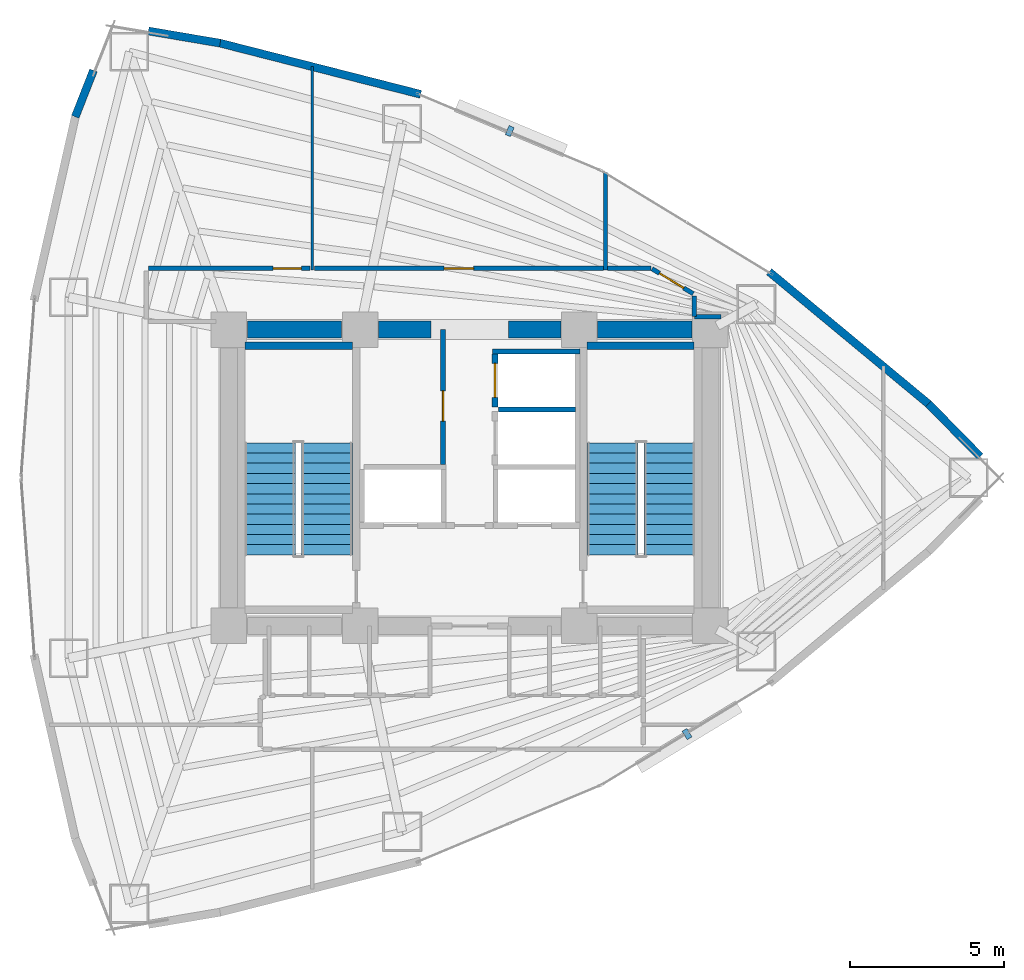
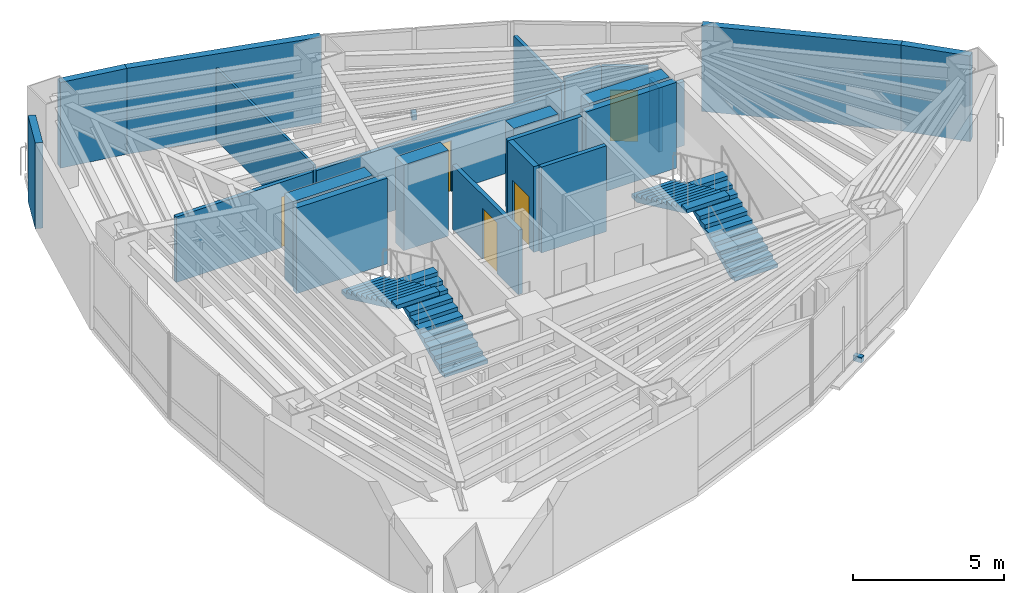
# One storey, part 16 of 18: 23 walls, 5 doors, 4 stair flights, 2 discrete accessories, 5 openings, 2 elements without a shape of their own.
"""IFC4 building model written with IfcOpenShell, lengths in metres."""

import ifcopenshell
import ifcopenshell.guid

model = None  # the IFC model being written
_history = None  # IfcOwnerHistory: only IFC2X3 demands one
_inside = {}  # id of a spatial element -> (the spatial element, [elements in it])
_under = {}  # id of a project, library or spatial element -> (it, [spatial elements below it])
_declared = {}  # id of a project -> (the project, [libraries it declares])
_typed = {}  # id of a type object -> (the type object, [elements of that type])
_made_of = {}  # id of a material, layer set ... -> (it, [elements and type objects made of it])


def new_model(schema):
    """Start an empty IFC model of exactly this schema.

    Asked for "IFC4X3", IfcOpenShell would pick the latest addendum, in which some entities
    have other attributes; the version numbers below select the first issue.
    IFC2X3 requires an IfcOwnerHistory on every rooted entity: one is made here for all.
    """
    global model, _history
    if schema == "IFC4X3":
        model = ifcopenshell.file(schema_version=(4, 3, 0, 0))
    else:
        model = ifcopenshell.file(schema=schema)
    _inside.clear()
    _under.clear()
    _declared.clear()
    _typed.clear()
    _made_of.clear()
    _history = None
    if model.schema == "IFC2X3":
        org = make("IfcOrganization", Name="unknown")
        user = make(
            "IfcPersonAndOrganization",
            ThePerson=make("IfcPerson", FamilyName="unknown"),
            TheOrganization=org,
        )
        app = make(
            "IfcApplication",
            ApplicationDeveloper=org,
            Version="unknown",
            ApplicationFullName="unknown",
            ApplicationIdentifier="unknown",
        )
        _history = make(
            "IfcOwnerHistory",
            OwningUser=user,
            OwningApplication=app,
            ChangeAction="ADDED",
            CreationDate=0,
        )
    return model


def make(cls, **values):
    """One entity of the class cls with the attributes given. An attribute that is None is left unset."""
    return model.create_entity(
        cls, **{name: value for name, value in values.items() if value is not None}
    )


def rooted(cls, **values):
    """An entity with a GlobalId (a new one), such as an element, a storey or a relation."""
    return make(cls, GlobalId=ifcopenshell.guid.new(), OwnerHistory=_history, **values)


def si_unit(unit_type, name, prefix=None):
    """IfcSIUnit, for example si_unit("LENGTHUNIT", "METRE", prefix="MILLI")."""
    return make("IfcSIUnit", UnitType=unit_type, Prefix=prefix, Name=name)


def assignment(units):
    """IfcUnitAssignment: the units of a project."""
    return None if units is None else make("IfcUnitAssignment", Units=units)


def point(xyz):
    """IfcCartesianPoint."""
    return None if xyz is None else make("IfcCartesianPoint", Coordinates=xyz)


def direction(xyz):
    """IfcDirection."""
    return None if xyz is None else make("IfcDirection", DirectionRatios=xyz)


def frame(location, z_axis=None, x_axis=None):
    """IfcAxis2Placement3D, a coordinate frame: its origin and axes. An axis left out is left unset."""
    return make(
        "IfcAxis2Placement3D",
        Location=point(location),
        Axis=direction(z_axis),
        RefDirection=direction(x_axis),
    )


def frame_2d(location, x_axis=None):
    """IfcAxis2Placement2D, a coordinate frame in the plane: its origin and x axis."""
    return make(
        "IfcAxis2Placement2D", Location=point(location), RefDirection=direction(x_axis)
    )


def origin():
    """The frame at (0, 0, 0) with its axes left unset."""
    return frame((0.0, 0.0, 0.0))


def origin_2d():
    """The frame at (0, 0) in the plane with its x axis left unset."""
    return frame_2d((0.0, 0.0))


def place(relative_to, where):
    """IfcLocalPlacement: puts the frame where relative to a parent placement (None: the world)."""
    return make(
        "IfcLocalPlacement", PlacementRelTo=relative_to, RelativePlacement=where
    )


def context(
    kind, dimensions, precision=None, world=None, true_north=None, identifier=None
):
    """IfcGeometricRepresentationContext, for example the 3D "Model" context."""
    return make(
        "IfcGeometricRepresentationContext",
        ContextIdentifier=identifier,
        ContextType=kind,
        CoordinateSpaceDimension=dimensions,
        Precision=precision,
        WorldCoordinateSystem=world,
        TrueNorth=true_north,
    )


def subcontext(parent, identifier, kind, view, scale=None):
    """IfcGeometricRepresentationSubContext, for example "Body" below "Model"."""
    return make(
        "IfcGeometricRepresentationSubContext",
        ContextIdentifier=identifier,
        ContextType=kind,
        ParentContext=parent,
        TargetScale=scale,
        TargetView=view,
    )


def project(units=None, contexts=None):
    """IfcProject with its units and contexts."""
    return rooted(
        "IfcProject",
        Name="project",
        RepresentationContexts=contexts,
        UnitsInContext=assignment(units),
    )


def spatial(cls, under=None, at=None, **own):
    """A site, building, storey or space (cls), placed at a placement, below another one or the project."""
    s = rooted(cls, ObjectPlacement=at, **own)
    if under is not None:
        _under.setdefault(under.id(), (under, []))[1].append(s)
    return s


def polyline(points):
    """IfcPolyline through the points."""
    return make("IfcPolyline", Points=[point(p) for p in points])


def profile(cls, at=None, kind="AREA", **sizes):
    """A parametric profile (cls). Its sizes go by their IFC names, for example OverallWidth=200.0."""
    return make(cls, ProfileType=kind, Position=at, **sizes)


def rectangle(**sizes):
    """IfcRectangleProfileDef."""
    return profile("IfcRectangleProfileDef", **sizes)


def outline(outer, holes=None, kind="AREA"):
    """IfcArbitraryClosedProfileDef: a profile drawn as a closed curve; with holes, ...WithVoids."""
    if holes is None:
        return make("IfcArbitraryClosedProfileDef", ProfileType=kind, OuterCurve=outer)
    return make(
        "IfcArbitraryProfileDefWithVoids",
        ProfileType=kind,
        OuterCurve=outer,
        InnerCurves=holes,
    )


def extrude(swept, where, along, depth):
    """IfcExtrudedAreaSolid: the profile swept, set in the frame where, extruded along a direction by depth."""
    return make(
        "IfcExtrudedAreaSolid",
        SweptArea=swept,
        Position=where,
        ExtrudedDirection=direction(along),
        Depth=depth,
    )


def shape(context_of_items, identifier, shape_type, items):
    """IfcShapeRepresentation: the items that make up one representation, for example the "Body"."""
    return make(
        "IfcShapeRepresentation",
        ContextOfItems=context_of_items,
        RepresentationIdentifier=identifier,
        RepresentationType=shape_type,
        Items=items,
    )


def material(Name=None, Category=None):
    """IfcMaterial."""
    return make("IfcMaterial", Name=Name, Category=Category)


def layer(
    of_material, thickness, ventilated=None, Name=None, Category=None, Priority=None
):
    """IfcMaterialLayer: one layer of a wall or slab, of a material (None: an air gap)."""
    return make(
        "IfcMaterialLayer",
        Material=of_material,
        LayerThickness=thickness,
        IsVentilated=ventilated,
        Name=Name,
        Category=Category,
        Priority=Priority,
    )


def layer_set(layers, Name=None):
    """IfcMaterialLayerSet."""
    return make("IfcMaterialLayerSet", MaterialLayers=layers, LayerSetName=Name)


def made_of(thing, what):
    """Note that an element or type object is made of a material, layer set ...; save() writes the relation."""
    if what is not None:
        _made_of.setdefault(what.id(), (what, []))[1].append(thing)
    return thing


def type_object(cls, material=None, **own):
    """A type object (cls), such as IfcWallType, which elements share."""
    return made_of(rooted(cls, **own), material)


def element(
    cls,
    number,
    at=None,
    inside=None,
    cuts=None,
    type_object=None,
    material=None,
    context=None,
    identifier="Body",
    shape_type=None,
    held_by="IfcProductDefinitionShape",
    body=None,
    shapes=None,
    **own,
):
    """One element of the class cls, such as IfcWall. Its Tag is "e" and its number.

    at: its placement. inside: the storey or other place that contains it. cuts: it is an
    opening in that element (IfcRelVoidsElement). A single representation is given by context,
    identifier, shape_type and body (its items); several are given by shapes. held_by: the class
    of the entity that holds the representations. save() writes the other relations.
    """
    e = rooted(cls, Tag="e%d" % number, ObjectPlacement=at, **own)
    if body is not None:
        shapes = [shape(context, identifier, shape_type, body)]
    if shapes is not None:
        e.Representation = make(held_by, Representations=shapes)
    if inside is not None:
        _inside.setdefault(inside.id(), (inside, []))[1].append(e)
    if cuts is not None:
        rooted(
            "IfcRelVoidsElement", RelatingBuildingElement=cuts, RelatedOpeningElement=e
        )
    if type_object is not None:
        _typed.setdefault(type_object.id(), (type_object, []))[1].append(e)
    return made_of(e, material)


def fill(opening, filler):
    """IfcRelFillsElement: the door or window that sits in an opening."""
    return rooted(
        "IfcRelFillsElement",
        RelatingOpeningElement=opening,
        RelatedBuildingElement=filler,
    )


def aggregate(whole, parts):
    """IfcRelAggregates: a whole, such as a stair, and the parts it consists of."""
    return rooted("IfcRelAggregates", RelatingObject=whole, RelatedObjects=parts)


def save(model, path):
    """Write the relations noted so far, then the file.

    IfcRelAggregates (storeys below a building ...), IfcRelContainedInSpatialStructure (elements
    in a storey), IfcRelDefinesByType, IfcRelAssociatesMaterial and IfcRelDeclares: one each for
    every whole, place, type object, material and project.
    """
    for whole, parts in _under.values():
        aggregate(whole, parts)
    for where, things in _inside.values():
        rooted(
            "IfcRelContainedInSpatialStructure",
            RelatedElements=things,
            RelatingStructure=where,
        )
    for kind, things in _typed.values():
        rooted("IfcRelDefinesByType", RelatedObjects=things, RelatingType=kind)
    for what, things in _made_of.values():
        rooted("IfcRelAssociatesMaterial", RelatedObjects=things, RelatingMaterial=what)
    for by, libraries in _declared.values():
        rooted("IfcRelDeclares", RelatingContext=by, RelatedDefinitions=libraries)
    model.write(path)


model = new_model("IFC4")

# Units and contexts
model_context = context("Model", 3, precision=1e-05, world=origin(), true_north=direction((0.0, 1.0)))
body_context = subcontext(model_context, "Body", "Model", "MODEL_VIEW")
ifc_project = project(units=[si_unit("LENGTHUNIT", "METRE"), si_unit("AREAUNIT", "SQUARE_METRE"), si_unit("VOLUMEUNIT", "CUBIC_METRE"), si_unit("PLANEANGLEUNIT", "RADIAN"), si_unit("MASSUNIT", "GRAM", prefix="KILO")], contexts=[model_context])

# Site, building, storey
site_placement = place(None, origin())
site = spatial("IfcSite", under=ifc_project, at=site_placement, CompositionType="ELEMENT")
building_placement = place(site_placement, origin())
building = spatial("IfcBuilding", under=site, at=building_placement, Name="Menara Vayukalpa", CompositionType="ELEMENT")
storey_placement = place(building_placement, frame((0.0, 0.0, 130.02001953125)))
storey = spatial("IfcBuildingStorey", under=building, at=storey_placement, Name="L32", CompositionType="ELEMENT", Elevation=130.02001953125)

# Walls
ifc_material_1 = material(Name="Concrete C60/75", Category="concrete")
ifc_layer_1 = layer(ifc_material_1, 0.550048828125)
ifc_layer_set_1 = layer_set([ifc_layer_1], Name="Concrete C60/75")
wall_type_1 = type_object("IfcWallType", Name="WAL-CW550", PredefinedType="SHEAR", material=ifc_layer_set_1)
wall_1_placement = place(storey_placement, frame((18.39501953125, 26.800048828125, 0.0), z_axis=(0.0, 0.0, 1.0), x_axis=(1.0, 0.0, 0.0)))
element("IfcWall", 1, at=wall_1_placement, inside=storey, type_object=wall_type_1, Name="L32 Buttressed Core Shear Wall CWN1", PredefinedType="SHEAR", context=body_context, shape_type="SweptSolid", body=[
    extrude(rectangle(XDim=3.06005859375, YDim=0.550048828125, at=frame_2d((1.530029296875, 0.0))), origin(), (0.0, 0.0, 1.0), 3.469970703125),
])
wall_2_placement = place(storey_placement, frame((22.64501953125, 26.800048828125, 0.0), z_axis=(0.0, 0.0, 1.0), x_axis=(1.0, 0.0, 0.0)))
element("IfcWall", 2, at=wall_2_placement, inside=storey, type_object=wall_type_1, Name="L32 Buttressed Core Shear Wall CWN2", PredefinedType="SHEAR", context=body_context, shape_type="SweptSolid", body=[
    extrude(rectangle(XDim=1.705078125, YDim=0.550048828125, at=frame_2d((0.8525390625, 0.0))), origin(), (0.0, 0.0, 1.0), 3.469970703125),
])
wall_3_placement = place(storey_placement, frame((26.85009765625, 26.800048828125, 0.0), z_axis=(0.0, 0.0, 1.0), x_axis=(1.0, 0.0, 0.0)))
element("IfcWall", 3, at=wall_3_placement, inside=storey, type_object=wall_type_1, Name="L32 Buttressed Core Shear Wall CWN3", PredefinedType="SHEAR", context=body_context, shape_type="SweptSolid", body=[
    extrude(rectangle(XDim=1.704833984375, YDim=0.550048828125, at=frame_2d((0.8525390625, 0.0))), origin(), (0.0, 0.0, 1.0), 3.469970703125),
])
wall_4_placement = place(storey_placement, frame((29.7451171875, 26.800048828125, 0.0), z_axis=(0.0, 0.0, 1.0), x_axis=(1.0, 0.0, 0.0)))
element("IfcWall", 4, at=wall_4_placement, inside=storey, type_object=wall_type_1, Name="L32 Buttressed Core Shear Wall CWN4", PredefinedType="SHEAR", context=body_context, shape_type="SweptSolid", body=[
    extrude(rectangle(XDim=3.059814453125, YDim=0.550048828125, at=frame_2d((1.52978515625, 0.0))), origin(), (0.0, 0.0, 1.0), 3.469970703125),
])
ifc_material_2 = material(Name="Insulated Precast Concrete C40/50", Category="concrete")
ifc_layer_2 = layer(ifc_material_2, 0.260009765625)
ifc_layer_set_2 = layer_set([ifc_layer_2], Name="Insulated Precast Concrete C40/50")
wall_type_2 = type_object("IfcWallType", Name="WAL-EXT260", PredefinedType="PARTITIONING", material=ifc_layer_set_2)
wall_5_placement = place(storey_placement, frame((40.46337890625, 24.39208984375, 0.0), z_axis=(0.0, 0.0, 1.0), x_axis=(0.700603293449, -0.713550996922, 0.0)))
element("IfcWall", 5, at=wall_5_placement, inside=storey, type_object=wall_type_2, Name="L32 Perimeter Terracotta Pier Wall 02", PredefinedType="PARTITIONING", context=body_context, shape_type="SweptSolid", body=[
    extrude(rectangle(XDim=2.394775390625, YDim=0.260009765625, at=frame_2d((1.197265625, 0.0))), origin(), (0.0, 0.0, 1.0), 3.469970703125),
])
wall_6_placement = place(storey_placement, frame((35.30126953125, 28.672119140625, 0.0), z_axis=(0.0, 0.0, 1.0), x_axis=(0.76975316947, -0.638341646841, 0.0)))
element("IfcWall", 6, at=wall_6_placement, inside=storey, type_object=wall_type_2, Name="L32 Perimeter Terracotta Pier Wall 03", PredefinedType="PARTITIONING", context=body_context, shape_type="SweptSolid", body=[
    extrude(rectangle(XDim=6.718017578125, YDim=0.260009765625, at=frame_2d((3.35888671875, 0.0))), origin(), (0.0, 0.0, 1.0), 3.469970703125),
])
wall_7_placement = place(storey_placement, frame((17.504638671875, 36.08056640625, 0.0), z_axis=(0.0, 0.0, 1.0), x_axis=(0.968981437296, -0.247133514876, 0.0)))
element("IfcWall", 7, at=wall_7_placement, inside=storey, type_object=wall_type_2, Name="L32 Perimeter Terracotta Pier Wall 06", PredefinedType="PARTITIONING", context=body_context, shape_type="SweptSolid", body=[
    extrude(rectangle(XDim=6.717529296875, YDim=0.260009765625, at=frame_2d((3.35888671875, 0.0))), origin(), (0.0, 0.0, 1.0), 3.469970703125),
])
wall_8_placement = place(storey_placement, frame((15.19287109375, 36.472412109375, 0.0), z_axis=(0.0, 0.0, 1.0), x_axis=(0.985905269947, -0.167304508875, 0.0)))
element("IfcWall", 8, at=wall_8_placement, inside=storey, type_object=wall_type_2, Name="L32 Perimeter Terracotta Pier Wall 07", PredefinedType="PARTITIONING", context=body_context, shape_type="SweptSolid", body=[
    extrude(rectangle(XDim=2.356689453125, YDim=0.260009765625, at=frame_2d((1.17822265625, 0.0))), origin(), (0.0, 0.0, 1.0), 3.469970703125),
])
wall_9_placement = place(storey_placement, frame((12.822021484375, 33.69140625, 0.0), z_axis=(0.0, 0.0, 1.0), x_axis=(0.365488551504, 0.930815835018, 0.0)))
element("IfcWall", 9, at=wall_9_placement, inside=storey, type_object=wall_type_2, Name="L32 Perimeter Terracotta Pier Wall 08", PredefinedType="PARTITIONING", context=body_context, shape_type="SweptSolid", body=[
    extrude(rectangle(XDim=1.61376953125, YDim=0.260009765625, at=frame_2d((0.806884765625, 0.0))), origin(), (0.0, 0.0, 1.0), 3.469970703125),
])
ifc_material_3 = material(Name="Lightweight Concrete Blockwork C16/20", Category="masonry")
ifc_layer_3 = layer(ifc_material_3, 0.159912109375)
ifc_layer_set_3 = layer_set([ifc_layer_3], Name="Lightweight Concrete Blockwork C16/20")
wall_type_3 = type_object("IfcWallType", Name="WAL-FR150", PredefinedType="PARTITIONING", material=ifc_layer_set_3)
wall_10_placement = place(storey_placement, frame((26.530029296875, 24.215087890625, 0.0), z_axis=(0.0, 0.0, 1.0), x_axis=(1.0, 0.0, 0.0)))
element("IfcWall", 10, at=wall_10_placement, inside=storey, type_object=wall_type_3, Name="L32 Interior Partition IW-L32-SHM-E32", PredefinedType="PARTITIONING", context=body_context, shape_type="SweptSolid", body=[
    extrude(rectangle(XDim=2.489990234375, YDim=0.159912109375, at=frame_2d((1.2451171875, 0.0))), origin(), (0.0, 0.0, 1.0), 3.469970703125),
])
wall_11_placement = place(storey_placement, frame((26.340087890625, 26.0849609375, 0.0), z_axis=(0.0, 0.0, 1.0), x_axis=(1.0, 0.0, 0.0)))
element("IfcWall", 11, at=wall_11_placement, inside=storey, type_object=wall_type_3, Name="L32 Interior Partition IW-L32-SHM-E2N", PredefinedType="PARTITIONING", context=body_context, shape_type="SweptSolid", body=[
    extrude(rectangle(XDim=2.829833984375, YDim=0.159912109375, at=frame_2d((1.4150390625, 0.0))), origin(), (0.0, 0.0, 1.0), 3.469970703125),
])

# Wall, opening, door
wall_12_placement = place(storey_placement, frame((24.739990234375, 22.429931640625, 0.0), z_axis=(0.0, 0.0, 1.0), x_axis=(0.0, 1.0, 0.0)))
wall_12 = element("IfcWall", 12, at=wall_12_placement, inside=storey, type_object=wall_type_3, Name="L32 Interior Partition IW-L32-LV7W", PredefinedType="PARTITIONING", context=body_context, shape_type="SweptSolid", body=[
    extrude(rectangle(XDim=4.3701171875, YDim=0.159912109375, at=frame_2d((2.18505859375, 0.0))), origin(), (0.0, 0.0, 1.0), 2.60009765625),
])
opening_1_placement = place(wall_12_placement, frame((1.39990234375, 0.0, 0.0)))
opening_1 = element("IfcOpeningElement", 13, at=opening_1_placement, cuts=wall_12, Name="Opening ID3", PredefinedType="OPENING", context=body_context, shape_type="SweptSolid", body=[
    extrude(rectangle(XDim=0.97998046875, YDim=2.06005859375, at=frame_2d((0.489990234375, 1.030029296875))), frame((0.0, 0.08984375, 0.0), z_axis=(0.0, -1.0, 0.0), x_axis=(1.0, 0.0, 0.0)), (0.0, 0.0, 1.0), 0.179931640625),
])
ifc_material_4 = material(Name="Fire-Rated Powder-Coated Steel Door", Category="steel")
door_type_1 = type_object("IfcDoorType", Name="DR-FD60", OperationType="NOTDEFINED", PredefinedType="DOOR", material=ifc_material_4)
door_1_placement = place(opening_1_placement, origin())
door_1 = element("IfcDoor", 14, at=door_1_placement, inside=storey, type_object=door_type_1, Name="L32 Interior Door DR-L32-LV7W", OperationType="SINGLE_SWING_LEFT", OverallHeight=2.06005859375, OverallWidth=0.97998046875, PredefinedType="DOOR", context=body_context, shape_type="SweptSolid", body=[
    extrude(rectangle(XDim=0.97998046875, YDim=2.06005859375, at=frame_2d((0.489990234375, 1.030029296875))), frame((0.0, 0.02490234375, 0.0), z_axis=(0.0, -1.0, 0.0), x_axis=(1.0, 0.0, 0.0)), (0.0, 0.0, 1.0), 0.050048828125),
])
fill(opening_1, door_1)

ifc_material_5 = material(Name="Lightweight Concrete Blockwork C16/20", Category="masonry")
ifc_layer_4 = layer(ifc_material_5, 0.199951171875)
ifc_layer_set_4 = layer_set([ifc_layer_4], Name="Lightweight Concrete Blockwork C16/20")
wall_type_4 = type_object("IfcWallType", Name="WAL-FR200", PredefinedType="PARTITIONING", material=ifc_layer_set_4)
wall_13_placement = place(storey_placement, frame((26.419921875, 24.2900390625, 0.0), z_axis=(0.0, 0.0, 1.0), x_axis=(0.0, 1.0, 0.0)))
wall_13 = element("IfcWall", 15, at=wall_13_placement, inside=storey, type_object=wall_type_4, Name="L32 Interior Partition IW-L32-SH-E2", PredefinedType="PARTITIONING", context=body_context, shape_type="SweptSolid", body=[
    extrude(rectangle(XDim=1.719970703125, YDim=0.199951171875, at=frame_2d((0.85986328125, 0.0))), origin(), (0.0, 0.0, 1.0), 3.469970703125),
])
opening_2_placement = place(wall_13_placement, frame((0.31005859375, 0.0, 0.0)))
opening_2 = element("IfcOpeningElement", 16, at=opening_2_placement, cuts=wall_13, Name="Opening LD1", PredefinedType="OPENING", context=body_context, shape_type="SweptSolid", body=[
    extrude(rectangle(XDim=1.10009765625, YDim=2.080078125, at=frame_2d((0.550048828125, 1.0400390625))), frame((0.0, 0.10986328125, 0.0), z_axis=(0.0, -1.0, 0.0), x_axis=(1.0, 0.0, 0.0)), (0.0, 0.0, 1.0), 0.219970703125),
])
ifc_material_6 = material(Name="Brushed Stainless Steel 316 Lift Door", Category="steel")
door_type_2 = type_object("IfcDoorType", Name="DR-LD110", OperationType="NOTDEFINED", PredefinedType="DOOR", material=ifc_material_6)
door_2_placement = place(opening_2_placement, origin())
door_2 = element("IfcDoor", 17, at=door_2_placement, inside=storey, type_object=door_type_2, Name="L32 Interior Door DR-L32-LD-E2", OperationType="DOUBLE_DOOR_SLIDING", OverallHeight=2.080078125, OverallWidth=1.10009765625, PredefinedType="DOOR", context=body_context, shape_type="SweptSolid", body=[
    extrude(rectangle(XDim=1.10009765625, YDim=2.080078125, at=frame_2d((0.550048828125, 1.0400390625))), frame((0.0, 0.02490234375, 0.0), z_axis=(0.0, -1.0, 0.0), x_axis=(1.0, 0.0, 0.0)), (0.0, 0.0, 1.0), 0.050048828125),
])
fill(opening_2, door_2)

# Walls
ifc_material_7 = material(Name="Glazed Demountable Office Partition", Category="glass")
ifc_layer_5 = layer(ifc_material_7, 0.094970703125)
ifc_layer_set_5 = layer_set([ifc_layer_5], Name="Glazed Demountable Office Partition")
wall_type_5 = type_object("IfcWallType", Name="WAL-PT100", PredefinedType="PARTITIONING", material=ifc_layer_set_5)
wall_14_placement = place(storey_placement, frame((20.5, 28.72998046875, 0.0), z_axis=(0.0, 0.0, 1.0), x_axis=(0.0, 1.0, 0.0)))
element("IfcWall", 18, at=wall_14_placement, inside=storey, type_object=wall_type_5, Name="L32 Interior Partition IW-L32-RDIV02", PredefinedType="PARTITIONING", context=body_context, shape_type="SweptSolid", body=[
    extrude(rectangle(XDim=6.596923828125, YDim=0.094970703125, at=frame_2d((3.29833984375, 0.0))), origin(), (0.0, 0.0, 1.0), 2.89990234375),
])
ifc_material_8 = material(Name="Gypsum Drywall Steel Stud Assembly", Category="steel")
ifc_layer_6 = layer(ifc_material_8, 0.125)
ifc_layer_set_6 = layer_set([ifc_layer_6], Name="Gypsum Drywall Steel Stud Assembly")
wall_type_6 = type_object("IfcWallType", Name="WAL-PT125", PredefinedType="PARTITIONING", material=ifc_layer_set_6)
wall_15_placement = place(storey_placement, frame((30.0, 28.72998046875, 0.0), z_axis=(0.0, 0.0, 1.0), x_axis=(0.0, 1.0, 0.0)))
element("IfcWall", 19, at=wall_15_placement, inside=storey, type_object=wall_type_6, Name="L32 Interior Partition IW-L32-RDIV03", PredefinedType="PARTITIONING", context=body_context, shape_type="SweptSolid", body=[
    extrude(rectangle(XDim=3.155517578125, YDim=0.125, at=frame_2d((1.57763671875, 0.0))), origin(), (0.0, 0.0, 1.0), 2.89990234375),
])
ifc_material_9 = material(Name="Gypsum Drywall Acoustic Stud Assembly", Category="masonry")
ifc_layer_7 = layer(ifc_material_9, 0.14501953125)
ifc_layer_set_7 = layer_set([ifc_layer_7], Name="Gypsum Drywall Acoustic Stud Assembly")
wall_type_7 = type_object("IfcWallType", Name="WAL-PT150", PredefinedType="PARTITIONING", material=ifc_layer_set_7)
wall_16_placement = place(storey_placement, frame((33.739990234375, 27.219970703125, 0.0), z_axis=(0.0, 0.0, 1.0), x_axis=(-1.0, 0.0, 0.0)))
element("IfcWall", 20, at=wall_16_placement, inside=storey, type_object=wall_type_7, Name="L32 Interior Partition IW-L32-CRM04-3", PredefinedType="PARTITIONING", context=body_context, shape_type="SweptSolid", body=[
    extrude(rectangle(XDim=0.860107421875, YDim=0.14501953125, at=frame_2d((0.43017578125, 0.0))), origin(), (0.0, 0.0, 1.0), 2.60009765625),
])
wall_17_placement = place(storey_placement, frame((32.8798828125, 27.219970703125, 0.0), z_axis=(0.0, 0.0, 1.0), x_axis=(0.0, 1.0, 0.0)))
element("IfcWall", 21, at=wall_17_placement, inside=storey, type_object=wall_type_7, Name="L32 Interior Partition IW-L32-CRM04-4", PredefinedType="PARTITIONING", context=body_context, shape_type="SweptSolid", body=[
    extrude(rectangle(XDim=0.671142578125, YDim=0.14501953125, at=frame_2d((0.33544921875, 0.0))), origin(), (0.0, 0.0, 1.0), 2.60009765625),
])

# Wall, opening, door
wall_18_placement = place(storey_placement, frame((32.841552734375, 27.959716796875, 0.0), z_axis=(0.0, 0.0, 1.0), x_axis=(-0.854742818792, 0.519051744745, 0.0)))
wall_18 = element("IfcWall", 22, at=wall_18_placement, inside=storey, type_object=wall_type_7, Name="L32 Interior Partition IW-L32-CRM04-5", PredefinedType="PARTITIONING", context=body_context, shape_type="SweptSolid", body=[
    extrude(rectangle(XDim=1.557861328125, YDim=0.14501953125, at=frame_2d((0.77880859375, 0.0))), origin(), (0.0, 0.0, 1.0), 3.050048828125),
])
opening_3_placement = place(wall_18_placement, frame((0.35791015625, 0.0, 0.0)))
opening_3 = element("IfcOpeningElement", 23, at=opening_3_placement, cuts=wall_18, Name="Opening ID6", PredefinedType="OPENING", context=body_context, shape_type="SweptSolid", body=[
    extrude(rectangle(XDim=0.919921875, YDim=2.050048828125, at=frame_2d((0.4599609375, 1.02490234375))), frame((0.0, 0.08251953125, 0.0), z_axis=(0.0, -1.0, 0.0), x_axis=(1.0, 0.0, 0.0)), (0.0, 0.0, 1.0), 0.1650390625),
])
ifc_material_10 = material(Name="Acoustic Hardwood Veneer Timber Door", Category="wood")
door_type_3 = type_object("IfcDoorType", Name="DR-INT92", OperationType="NOTDEFINED", PredefinedType="DOOR", material=ifc_material_10)
door_3_placement = place(opening_3_placement, origin())
door_3 = element("IfcDoor", 24, at=door_3_placement, inside=storey, type_object=door_type_3, Name="L32 Interior Door DR-L32-RM04", OperationType="SINGLE_SWING_RIGHT", OverallHeight=2.050048828125, OverallWidth=0.919921875, PredefinedType="DOOR", context=body_context, shape_type="SweptSolid", body=[
    extrude(rectangle(XDim=0.919921875, YDim=2.050048828125, at=frame_2d((0.4599609375, 1.02490234375))), frame((0.0, 0.02490234375, 0.0), z_axis=(0.0, -1.0, 0.0), x_axis=(1.0, 0.0, 0.0)), (0.0, 0.0, 1.0), 0.050048828125),
])
fill(opening_3, door_3)

# Wall
wall_19_placement = place(storey_placement, frame((31.468505859375, 28.780029296875, 0.0), z_axis=(0.0, 0.0, 1.0), x_axis=(-1.0, 0.0, 0.0)))
element("IfcWall", 25, at=wall_19_placement, inside=storey, type_object=wall_type_7, Name="L32 Interior Partition IW-L32-CRM04-6", PredefinedType="PARTITIONING", context=body_context, shape_type="SweptSolid", body=[
    extrude(rectangle(XDim=1.3984375, YDim=0.14501953125, at=frame_2d((0.69921875, 0.0))), origin(), (0.0, 0.0, 1.0), 3.050048828125),
])

# Wall, opening, door
wall_20_placement = place(storey_placement, frame((29.929931640625, 28.780029296875, 0.0), z_axis=(0.0, 0.0, 1.0), x_axis=(-1.0, 0.0, 0.0)))
wall_20 = element("IfcWall", 26, at=wall_20_placement, inside=storey, type_object=wall_type_7, Name="L32 Interior Partition IW-L32-CRM05-1", PredefinedType="PARTITIONING", context=body_context, shape_type="SweptSolid", body=[
    extrude(rectangle(XDim=9.35986328125, YDim=0.14501953125, at=frame_2d((4.679931640625, 0.0))), origin(), (0.0, 0.0, 1.0), 2.64990234375),
])
opening_4_placement = place(wall_20_placement, frame((4.205078125, 0.0, 0.0)))
opening_4 = element("IfcOpeningElement", 27, at=opening_4_placement, cuts=wall_20, Name="Opening ID5", PredefinedType="OPENING", context=body_context, shape_type="SweptSolid", body=[
    extrude(rectangle(XDim=0.949951171875, YDim=2.06005859375, at=frame_2d((0.47509765625, 1.030029296875))), frame((0.0, 0.08251953125, 0.0), z_axis=(0.0, -1.0, 0.0), x_axis=(1.0, 0.0, 0.0)), (0.0, 0.0, 1.0), 0.1650390625),
])
ifc_material_11 = material(Name="Acoustic Hardwood Veneer Timber Door", Category="wood")
door_type_4 = type_object("IfcDoorType", Name="DR-INT95", OperationType="NOTDEFINED", PredefinedType="DOOR", material=ifc_material_11)
door_4_placement = place(opening_4_placement, origin())
door_4 = element("IfcDoor", 28, at=door_4_placement, inside=storey, type_object=door_type_4, Name="L32 Interior Door DR-L32-RM05", OperationType="SINGLE_SWING_LEFT", OverallHeight=2.06005859375, OverallWidth=0.949951171875, PredefinedType="DOOR", context=body_context, shape_type="SweptSolid", body=[
    extrude(rectangle(XDim=0.949951171875, YDim=2.06005859375, at=frame_2d((0.47509765625, 1.030029296875))), frame((0.0, 0.02490234375, 0.0), z_axis=(0.0, -1.0, 0.0), x_axis=(1.0, 0.0, 0.0)), (0.0, 0.0, 1.0), 0.050048828125),
])
fill(opening_4, door_4)

wall_21_placement = place(storey_placement, frame((20.429931640625, 28.780029296875, 0.0), z_axis=(0.0, 0.0, 1.0), x_axis=(-1.0, 0.0, 0.0)))
wall_21 = element("IfcWall", 29, at=wall_21_placement, inside=storey, type_object=wall_type_7, Name="L32 Interior Partition IW-L32-CRM06-1", PredefinedType="PARTITIONING", context=body_context, shape_type="SweptSolid", body=[
    extrude(rectangle(XDim=5.22998046875, YDim=0.14501953125, at=frame_2d((2.614990234375, 0.0))), origin(), (0.0, 0.0, 1.0), 2.64990234375),
])
opening_5_placement = place(wall_21_placement, frame((0.280029296875, 0.0, 0.0)))
opening_5 = element("IfcOpeningElement", 30, at=opening_5_placement, cuts=wall_21, Name="Opening ID6", PredefinedType="OPENING", context=body_context, shape_type="SweptSolid", body=[
    extrude(rectangle(XDim=0.919921875, YDim=2.050048828125, at=frame_2d((0.4599609375, 1.02490234375))), frame((0.0, 0.08251953125, 0.0), z_axis=(0.0, -1.0, 0.0), x_axis=(1.0, 0.0, 0.0)), (0.0, 0.0, 1.0), 0.1650390625),
])
door_5_placement = place(opening_5_placement, origin())
door_5 = element("IfcDoor", 31, at=door_5_placement, inside=storey, type_object=door_type_3, Name="L32 Interior Door DR-L32-RM06", OperationType="SINGLE_SWING_RIGHT", OverallHeight=2.050048828125, OverallWidth=0.919921875, PredefinedType="DOOR", context=body_context, shape_type="SweptSolid", body=[
    extrude(rectangle(XDim=0.919921875, YDim=2.050048828125, at=frame_2d((0.4599609375, 1.02490234375))), frame((0.0, 0.02490234375, 0.0), z_axis=(0.0, -1.0, 0.0), x_axis=(1.0, 0.0, 0.0)), (0.0, 0.0, 1.0), 0.050048828125),
])
fill(opening_5, door_5)

# Walls
ifc_material_12 = material(Name="Concrete C50/60", Category="concrete")
ifc_layer_8 = layer(ifc_material_12, 0.25)
ifc_layer_set_8 = layer_set([ifc_layer_8], Name="Concrete C50/60")
wall_type_8 = type_object("IfcWallType", Name="WAL-SW250", PredefinedType="SHEAR", material=ifc_layer_set_8)
wall_22_placement = place(storey_placement, frame((18.3291015625, 26.27490234375, 0.0), z_axis=(0.0, 0.0, 1.0), x_axis=(1.0, 0.0, 0.0)))
element("IfcWall", 32, at=wall_22_placement, inside=storey, type_object=wall_type_8, Name="L32 ST1 Structural Stair Shaft Wall N", PredefinedType="SHEAR", context=body_context, shape_type="SweptSolid", body=[
    extrude(rectangle(XDim=3.470947265625, YDim=0.25, at=frame_2d((1.7353515625, 0.0))), origin(), (0.0, 0.0, 1.0), 3.469970703125),
])
wall_23_placement = place(storey_placement, frame((29.39990234375, 26.27490234375, 0.0), z_axis=(0.0, 0.0, 1.0), x_axis=(1.0, 0.0, 0.0)))
element("IfcWall", 33, at=wall_23_placement, inside=storey, type_object=wall_type_8, Name="L32 ST2 Structural Stair Shaft Wall N", PredefinedType="SHEAR", context=body_context, shape_type="SweptSolid", body=[
    extrude(rectangle(XDim=3.47119140625, YDim=0.25, at=frame_2d((1.735595703125, 0.0))), origin(), (0.0, 0.0, 1.0), 3.469970703125),
])

# Stair, stair flights
ifc_material_13 = material(Name="Precast Concrete C40/50", Category="concrete")
stair_type = type_object("IfcStairType", Name="STR-T04", PredefinedType="DOUBLE_RETURN_STAIR", material=ifc_material_13)
stair_1_placement = place(storey_placement, origin())
stair_1 = element("IfcStair", 34, at=stair_1_placement, inside=storey, type_object=stair_type, Name="L32 Core Exit Stair ST-1", PredefinedType="DOUBLE_RETURN_STAIR")
ifc_material_14 = material(Name="Precast Concrete C40/50", Category="concrete")
stair_flight_type = type_object("IfcStairFlightType", Name="STF-T04", PredefinedType="STRAIGHT", material=ifc_material_14)
stair_flight_1_placement = place(storey_placement, frame((20.97509765625, 19.5, 0.0), z_axis=(0.0, 0.0, 1.0), x_axis=(0.0, 1.0, 0.0)))
stair_flight_1 = element("IfcStairFlight", 35, at=stair_flight_1_placement, type_object=stair_flight_type, Name="ST-1 flight 1", NumberOfRisers=12, NumberOfTreads=11, PredefinedType="STRAIGHT", RiserHeight=0.155, TreadLength=0.33, context=body_context, shape_type="SweptSolid", body=[
    extrude(outline(polyline([(0.0, 0.0), (0.0, 0.155029296875), (0.330078125, 0.155029296875), (0.330078125, 0.31005859375), (0.659912109375, 0.31005859375), (0.659912109375, 0.465087890625), (0.989990234375, 0.465087890625), (0.989990234375, 0.6201171875), (1.320068359375, 0.6201171875), (1.320068359375, 0.77490234375), (1.64990234375, 0.77490234375), (1.64990234375, 0.929931640625), (1.97998046875, 0.929931640625), (1.97998046875, 1.0849609375), (2.31005859375, 1.0849609375), (2.31005859375, 1.239990234375), (2.639892578125, 1.239990234375), (2.639892578125, 1.39501953125), (2.969970703125, 1.39501953125), (2.969970703125, 1.550048828125), (3.300048828125, 1.550048828125), (3.300048828125, 1.705078125), (3.6298828125, 1.705078125), (3.6298828125, 1.860107421875), (3.6298828125, 1.539306640625), (0.3525390625, 0.0), (0.0, 0.0)])), frame((0.0, 0.824951171875, 0.0), z_axis=(0.0, -1.0, 0.0), x_axis=(1.0, 0.0, 0.0)), (0.0, 0.0, 1.0), 1.64990234375),
])
stair_flight_2_placement = place(storey_placement, frame((19.125, 23.1298828125, 1.85986328125), z_axis=(0.0, 0.0, 1.0), x_axis=(0.0, -1.0, 0.0)))
stair_flight_2 = element("IfcStairFlight", 36, at=stair_flight_2_placement, type_object=stair_flight_type, Name="ST-1 flight 2", NumberOfRisers=12, NumberOfTreads=11, PredefinedType="STRAIGHT", RiserHeight=0.155, TreadLength=0.33, context=body_context, shape_type="SweptSolid", body=[
    extrude(outline(polyline([(0.0, 0.0), (0.0, 0.155029296875), (0.330078125, 0.155029296875), (0.330078125, 0.31005859375), (0.659912109375, 0.31005859375), (0.659912109375, 0.465087890625), (0.989990234375, 0.465087890625), (0.989990234375, 0.6201171875), (1.320068359375, 0.6201171875), (1.320068359375, 0.77490234375), (1.64990234375, 0.77490234375), (1.64990234375, 0.929931640625), (1.97998046875, 0.929931640625), (1.97998046875, 1.0849609375), (2.31005859375, 1.0849609375), (2.31005859375, 1.239990234375), (2.639892578125, 1.239990234375), (2.639892578125, 1.39501953125), (2.969970703125, 1.39501953125), (2.969970703125, 1.550048828125), (3.300048828125, 1.550048828125), (3.300048828125, 1.705078125), (3.6298828125, 1.705078125), (3.6298828125, 1.860107421875), (3.6298828125, 1.539306640625), (0.3525390625, 0.0), (0.0, 0.0)])), frame((0.0, 0.824951171875, 0.0), z_axis=(0.0, -1.0, 0.0), x_axis=(1.0, 0.0, 0.0)), (0.0, 0.0, 1.0), 1.64990234375),
])
aggregate(stair_1, [stair_flight_1, stair_flight_2])

stair_2_placement = place(storey_placement, origin())
stair_2 = element("IfcStair", 37, at=stair_2_placement, inside=storey, type_object=stair_type, Name="L32 Core Exit Stair ST-2", PredefinedType="DOUBLE_RETURN_STAIR")
stair_flight_3_placement = place(storey_placement, frame((32.074951171875, 19.5, 0.0), z_axis=(0.0, 0.0, 1.0), x_axis=(0.0, 1.0, 0.0)))
stair_flight_3 = element("IfcStairFlight", 38, at=stair_flight_3_placement, type_object=stair_flight_type, Name="ST-2 flight 1", NumberOfRisers=12, NumberOfTreads=11, PredefinedType="STRAIGHT", RiserHeight=0.155, TreadLength=0.33, context=body_context, shape_type="SweptSolid", body=[
    extrude(outline(polyline([(0.0, 0.0), (0.0, 0.155029296875), (0.330078125, 0.155029296875), (0.330078125, 0.31005859375), (0.659912109375, 0.31005859375), (0.659912109375, 0.465087890625), (0.989990234375, 0.465087890625), (0.989990234375, 0.6201171875), (1.320068359375, 0.6201171875), (1.320068359375, 0.77490234375), (1.64990234375, 0.77490234375), (1.64990234375, 0.929931640625), (1.97998046875, 0.929931640625), (1.97998046875, 1.0849609375), (2.31005859375, 1.0849609375), (2.31005859375, 1.239990234375), (2.639892578125, 1.239990234375), (2.639892578125, 1.39501953125), (2.969970703125, 1.39501953125), (2.969970703125, 1.550048828125), (3.300048828125, 1.550048828125), (3.300048828125, 1.705078125), (3.6298828125, 1.705078125), (3.6298828125, 1.860107421875), (3.6298828125, 1.539306640625), (0.3525390625, 0.0), (0.0, 0.0)])), frame((0.0, 0.824951171875, 0.0), z_axis=(0.0, -1.0, 0.0), x_axis=(1.0, 0.0, 0.0)), (0.0, 0.0, 1.0), 1.64990234375),
])
stair_flight_4_placement = place(storey_placement, frame((30.22509765625, 23.1298828125, 1.85986328125), z_axis=(0.0, 0.0, 1.0), x_axis=(0.0, -1.0, 0.0)))
stair_flight_4 = element("IfcStairFlight", 39, at=stair_flight_4_placement, type_object=stair_flight_type, Name="ST-2 flight 2", NumberOfRisers=12, NumberOfTreads=11, PredefinedType="STRAIGHT", RiserHeight=0.155, TreadLength=0.33, context=body_context, shape_type="SweptSolid", body=[
    extrude(outline(polyline([(0.0, 0.0), (0.0, 0.155029296875), (0.330078125, 0.155029296875), (0.330078125, 0.31005859375), (0.659912109375, 0.31005859375), (0.659912109375, 0.465087890625), (0.989990234375, 0.465087890625), (0.989990234375, 0.6201171875), (1.320068359375, 0.6201171875), (1.320068359375, 0.77490234375), (1.64990234375, 0.77490234375), (1.64990234375, 0.929931640625), (1.97998046875, 0.929931640625), (1.97998046875, 1.0849609375), (2.31005859375, 1.0849609375), (2.31005859375, 1.239990234375), (2.639892578125, 1.239990234375), (2.639892578125, 1.39501953125), (2.969970703125, 1.39501953125), (2.969970703125, 1.550048828125), (3.300048828125, 1.550048828125), (3.300048828125, 1.705078125), (3.6298828125, 1.705078125), (3.6298828125, 1.860107421875), (3.6298828125, 1.539306640625), (0.3525390625, 0.0), (0.0, 0.0)])), frame((0.0, 0.824951171875, 0.0), z_axis=(0.0, -1.0, 0.0), x_axis=(1.0, 0.0, 0.0)), (0.0, 0.0, 1.0), 1.64990234375),
])
aggregate(stair_2, [stair_flight_3, stair_flight_4])

# Discrete accessories
ifc_material_15 = material(Name="Stainless Steel 316 Sunshade Bracket", Category="steel")
discrete_accessory_type = type_object("IfcDiscreteAccessoryType", Name="ACC-BRK1", PredefinedType="BRACKET", material=ifc_material_15)
for number, where, z_axis, x_axis, name in (
    (40, (26.898193359375, 33.22900390625, -0.16015625), (0.0, 0.0, 1.0), (-0.922544824647, 0.385889940938, 0.0), "L32 Terracotta Sunshade Bracket 05"),
    (41, (32.6416015625, 13.69580078125, -0.16015625), (0.0, 0.0, 1.0), (0.85466730962, 0.519176068272, 0.0), "L32 Terracotta Sunshade Bracket 17"),
):
    element("IfcDiscreteAccessory", number, at=place(storey_placement, frame(where, z_axis=z_axis, x_axis=x_axis)), inside=storey, type_object=discrete_accessory_type, Name=name, PredefinedType="BRACKET", context=body_context, shape_type="SweptSolid", body=[
        extrude(rectangle(XDim=0.179931640625, YDim=0.320068359375, at=origin_2d()), origin(), (0.0, 0.0, 1.0), 0.219970703125),
    ])

save(model, "model.ifc")
